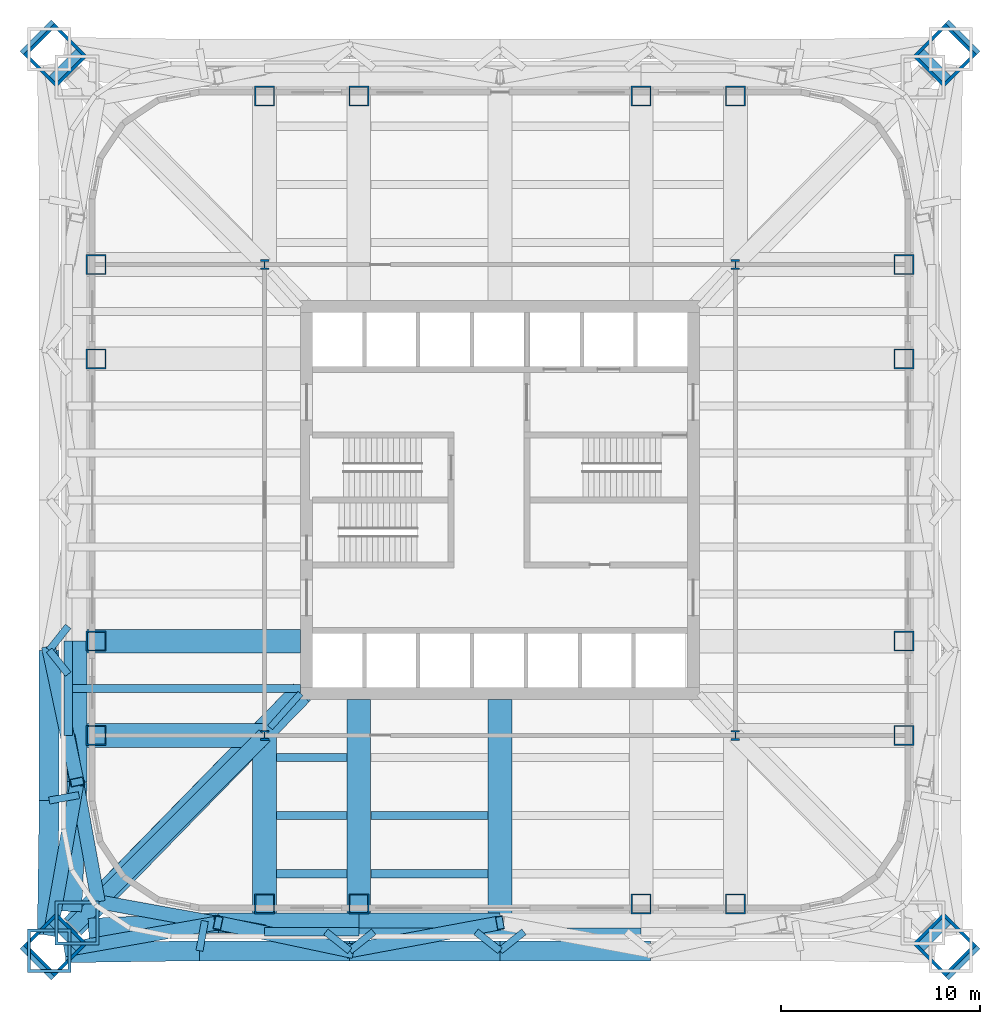
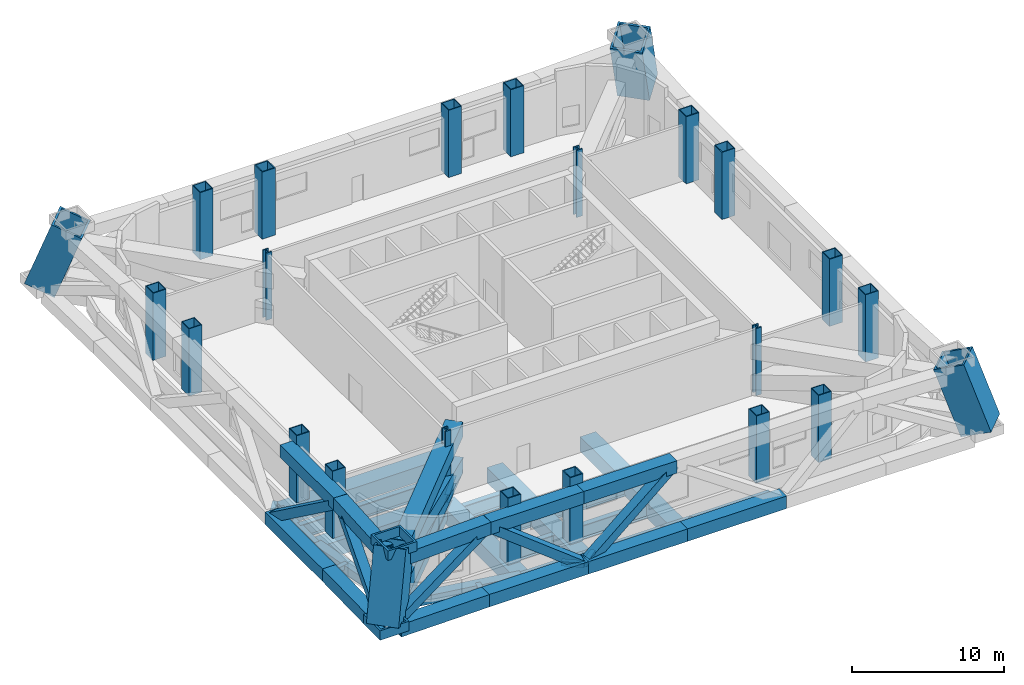
# One storey, part 1 of 9: 39 beams, 24 columns, 8 members.
"""IFC4 building model written with IfcOpenShell, lengths in metres."""

from ifc_helpers import new_model, si_unit, direction, frame, origin, origin_2d, place, context, subcontext, project, spatial, hollow_rectangle, i_section, extrude, clip, halfspace, material, material_profile, profile_set, type_object, element, save


model = new_model("IFC4")

# Units and contexts
model_context = context("Model", 3, precision=1e-05, world=origin(), true_north=direction((0.0, 1.0)))
body_context = subcontext(model_context, "Body", "Model", "MODEL_VIEW")
ifc_project = project(units=[si_unit("LENGTHUNIT", "METRE"), si_unit("AREAUNIT", "SQUARE_METRE"), si_unit("VOLUMEUNIT", "CUBIC_METRE"), si_unit("PLANEANGLEUNIT", "RADIAN"), si_unit("MASSUNIT", "GRAM", prefix="KILO")], contexts=[model_context])

# Site, building, storey
site_placement = place(None, origin())
site = spatial("IfcSite", under=ifc_project, at=site_placement, CompositionType="ELEMENT")
building_placement = place(site_placement, origin())
building = spatial("IfcBuilding", under=site, at=building_placement, Name="Turquesa Mirador Hotel Tower", CompositionType="ELEMENT")
storey_placement = place(building_placement, frame((0.0, 0.0, 88.0)))
storey = spatial("IfcBuildingStorey", under=building, at=storey_placement, Name="L23", CompositionType="ELEMENT", Elevation=88.0)

# Columns
ifc_material_1 = material(Name="Steel ASTM A572 Grade 50", Category="steel")
ifc_material_profile_1 = material_profile(ifc_material_1, hollow_rectangle(XDim=1.0, YDim=1.0, WallThickness=0.06005859375, at=origin_2d()), Name="BOX1000X1000X60")
ifc_profile_set_1 = profile_set([ifc_material_profile_1], Name="Steel ASTM A572 Grade 50")
column_type_1 = type_object("IfcColumnType", Name="COLUMN BOX1000X1000X60", PredefinedType="COLUMN", material=ifc_profile_set_1)
for number, where, z_axis, x_axis, name in (
    (1, (34.75, 33.199951171875, 0.0), (0.0, 0.0, 1.0), (1.0, 0.0, 0.0), "COL-L23-P--20.25--11.80"),
    (2, (34.75, 37.919921875, 0.0), (0.0, 0.0, 1.0), (1.0, 0.0, 0.0), "COL-L23-P--20.25--7.08"),
    (3, (34.75, 52.080078125, 0.0), (0.0, 0.0, 1.0), (1.0, 0.0, 0.0), "COL-L23-P--20.25-+7.08"),
    (4, (34.75, 56.800048828125, 0.0), (0.0, 0.0, 1.0), (1.0, 0.0, 0.0), "COL-L23-P--20.25-+11.80"),
    (5, (43.199951171875, 24.75, 0.0), (0.0, 0.0, 1.0), (1.0, 0.0, 0.0), "COL-L23-P--11.80--20.25"),
    (6, (43.199951171875, 65.25, 0.0), (0.0, 0.0, 1.0), (1.0, 0.0, 0.0), "COL-L23-P--11.80-+20.25"),
    (7, (47.919921875, 24.75, 0.0), (0.0, 0.0, 1.0), (1.0, 0.0, 0.0), "COL-L23-P--7.08--20.25"),
    (8, (47.919921875, 65.25, 0.0), (0.0, 0.0, 1.0), (1.0, 0.0, 0.0), "COL-L23-P--7.08-+20.25"),
    (9, (62.080078125, 24.75, 0.0), (0.0, 0.0, 1.0), (1.0, 0.0, 0.0), "COL-L23-P-+7.08--20.25"),
    (10, (62.080078125, 65.25, 0.0), (0.0, 0.0, 1.0), (1.0, 0.0, 0.0), "COL-L23-P-+7.08-+20.25"),
    (11, (66.800048828125, 24.75, 0.0), (0.0, 0.0, 1.0), (1.0, 0.0, 0.0), "COL-L23-P-+11.80--20.25"),
    (12, (66.800048828125, 65.25, 0.0), (0.0, 0.0, 1.0), (1.0, 0.0, 0.0), "COL-L23-P-+11.80-+20.25"),
    (13, (75.25, 33.199951171875, 0.0), (0.0, 0.0, 1.0), (1.0, 0.0, 0.0), "COL-L23-P-+20.25--11.80"),
    (14, (75.25, 37.919921875, 0.0), (0.0, 0.0, 1.0), (1.0, 0.0, 0.0), "COL-L23-P-+20.25--7.08"),
    (15, (75.25, 52.080078125, 0.0), (0.0, 0.0, 1.0), (1.0, 0.0, 0.0), "COL-L23-P-+20.25-+7.08"),
    (16, (75.25, 56.800048828125, 0.0), (0.0, 0.0, 1.0), (1.0, 0.0, 0.0), "COL-L23-P-+20.25-+11.80"),
):
    element("IfcColumn", number, at=place(storey_placement, frame(where, z_axis=z_axis, x_axis=x_axis)), inside=storey, type_object=column_type_1, Name=name, PredefinedType="COLUMN", context=body_context, shape_type="SweptSolid", body=[
        extrude(hollow_rectangle(XDim=1.0, YDim=1.0, WallThickness=0.06005859375, at=origin_2d()), origin(), (0.0, 0.0, 1.0), 5.39990234375),
    ])
ifc_material_2 = material(Name="Steel ASTM A992 Grade 50", Category="steel")
ifc_material_profile_2 = material_profile(ifc_material_2, i_section(OverallWidth=0.431884765625, OverallDepth=0.497802734375, WebThickness=0.0556640625, FlangeThickness=0.0888671875, at=origin_2d()), Name="W14X500")
ifc_profile_set_2 = profile_set([ifc_material_profile_2], Name="Steel ASTM A992 Grade 50")
column_type_2 = type_object("IfcColumnType", Name="COLUMN W14X500", PredefinedType="COLUMN", material=ifc_profile_set_2)
for number, where, z_axis, x_axis, name in (
    (17, (43.199951171875, 33.199951171875, 0.0), (0.0, 0.0, 1.0), (1.0, 0.0, 0.0), "COL-L23-K--11.80--11.80"),
    (18, (43.199951171875, 56.800048828125, 0.0), (0.0, 0.0, 1.0), (1.0, 0.0, 0.0), "COL-L23-K--11.80-+11.80"),
    (19, (66.800048828125, 33.199951171875, 0.0), (0.0, 0.0, 1.0), (1.0, 0.0, 0.0), "COL-L23-K-+11.80--11.80"),
    (20, (66.800048828125, 56.800048828125, 0.0), (0.0, 0.0, 1.0), (1.0, 0.0, 0.0), "COL-L23-K-+11.80-+11.80"),
):
    element("IfcColumn", number, at=place(storey_placement, frame(where, z_axis=z_axis, x_axis=x_axis)), inside=storey, type_object=column_type_2, Name=name, PredefinedType="COLUMN", context=body_context, shape_type="SweptSolid", body=[
        extrude(i_section(OverallWidth=0.431884765625, OverallDepth=0.497802734375, WebThickness=0.0556640625, FlangeThickness=0.0888671875, at=origin_2d()), origin(), (0.0, 0.0, 1.0), 5.39990234375),
    ])
ifc_material_3 = material(Name="Steel ASTM A514 Grade Q", Category="steel")
ifc_material_profile_3 = material_profile(ifc_material_3, hollow_rectangle(XDim=2.199951171875, YDim=2.199951171875, WallThickness=0.14990234375, at=origin_2d()), Name="BOX2200X2200X150")
ifc_profile_set_3 = profile_set([ifc_material_profile_3], Name="Steel ASTM A514 Grade Q")
column_type_3 = type_object("IfcColumnType", Name="MEGA COLUMN BOX2200X2200X150", PredefinedType="COLUMN", material=ifc_profile_set_3)
for number, where, z_axis, x_axis, name in (
    (21, (77.60009765625, 67.60009765625, 0.0), (-0.243440180858, -0.243440180858, 0.938868338313), (0.707106781187, -0.707106781187, 0.0), "Mega column M1"),
    (22, (32.39990234375, 67.60009765625, 0.0), (0.243440180858, -0.243440180858, 0.938868338313), (0.707106781187, 0.707106781187, 0.0), "Mega column M2"),
    (23, (32.39990234375, 22.39990234375, 0.0), (0.243440180858, 0.243440180858, 0.938868338313), (-0.707106781187, 0.707106781187, 0.0), "Mega column M3"),
    (24, (77.60009765625, 22.39990234375, 0.0), (-0.243440180858, 0.243440180858, 0.938868338313), (-0.707106781187, -0.707106781187, 0.0), "Mega column M4"),
):
    element("IfcColumn", number, at=place(storey_placement, frame(where, z_axis=z_axis, x_axis=x_axis)), inside=storey, type_object=column_type_3, Name=name, PredefinedType="COLUMN", context=body_context, shape_type="Clipping", body=[
        clip(clip(extrude(hollow_rectangle(XDim=2.199951171875, YDim=2.199951171875, WallThickness=0.14990234375, at=origin_2d()), origin(), (0.0, 0.0, 1.0), 5.75146484375), halfspace(frame((0.0, 0.0, 0.17724609375), z_axis=(0.0, 0.0, -1.0), x_axis=(1.0, 0.0, 0.0)), False)), halfspace(frame((0.0, 0.0, 5.57470703125), z_axis=(0.0, 0.0, 1.0), x_axis=(1.0, 0.0, 0.0)), False)),
    ])

# Beams
ifc_material_4 = material(Name="Steel ASTM A572 Grade 50", Category="steel")
ifc_material_profile_4 = material_profile(ifc_material_4, hollow_rectangle(XDim=1.199951171875, YDim=1.199951171875, WallThickness=0.06005859375, at=origin_2d()), Name="BOX1200X1200X60")
ifc_profile_set_4 = profile_set([ifc_material_profile_4], Name="Steel ASTM A572 Grade 50")
beam_type_1 = type_object("IfcBeamType", Name="BEAM BOX1200X1200X60", PredefinedType="BEAM", material=ifc_profile_set_4)
for number, where, z_axis, x_axis, name in (
    (25, (47.919921875, 23.35009765625, -0.85009765625), (0.0, 1.0, 0.0), (-1.0, 0.0, 0.0), "GD-L23-S--7.08"),
    (26, (55.0, 23.35009765625, -0.85009765625), (0.0, 1.0, 0.0), (-1.0, 0.0, 0.0), "GD-L23-S-+0.00"),
):
    element("IfcBeam", number, at=place(storey_placement, frame(where, z_axis=z_axis, x_axis=x_axis)), inside=storey, type_object=beam_type_1, Name=name, PredefinedType="BEAM", context=body_context, shape_type="SweptSolid", body=[
        extrude(hollow_rectangle(XDim=1.199951171875, YDim=1.199951171875, WallThickness=0.06005859375, at=origin_2d()), origin(), (0.0, 0.0, 1.0), 11.64990234375),
    ])
beam_1_placement = place(storey_placement, frame((43.199951171875, 23.35009765625, -0.85009765625), z_axis=(0.0, 1.0, 0.0), x_axis=(-1.0, 0.0, 0.0)))
element("IfcBeam", 27, at=beam_1_placement, inside=storey, type_object=beam_type_1, Name="GK-L23-S--11.80", PredefinedType="BEAM", context=body_context, shape_type="SweptSolid", body=[
    extrude(hollow_rectangle(XDim=1.199951171875, YDim=1.199951171875, WallThickness=0.06005859375, at=origin_2d()), origin(), (0.0, 0.0, 1.0), 9.849853515625),
])
beam_2_placement = place(storey_placement, frame((33.35009765625, 37.919921875, -0.85009765625), z_axis=(1.0, 0.0, 0.0), x_axis=(0.0, 1.0, 0.0)))
element("IfcBeam", 28, at=beam_2_placement, inside=storey, type_object=beam_type_1, Name="GD-L23-W--7.08", PredefinedType="BEAM", context=body_context, shape_type="SweptSolid", body=[
    extrude(hollow_rectangle(XDim=1.199951171875, YDim=1.199951171875, WallThickness=0.06005859375, at=origin_2d()), origin(), (0.0, 0.0, 1.0), 11.64990234375),
])
beam_3_placement = place(storey_placement, frame((33.35009765625, 33.199951171875, -0.85009765625), z_axis=(1.0, 0.0, 0.0), x_axis=(0.0, 1.0, 0.0)))
element("IfcBeam", 29, at=beam_3_placement, inside=storey, type_object=beam_type_1, Name="GK-L23-W--11.80", PredefinedType="BEAM", context=body_context, shape_type="SweptSolid", body=[
    extrude(hollow_rectangle(XDim=1.199951171875, YDim=1.199951171875, WallThickness=0.06005859375, at=origin_2d()), origin(), (0.0, 0.0, 1.0), 9.849853515625),
])
ifc_material_5 = material(Name="Steel ASTM A572 Grade 50", Category="steel")
ifc_material_profile_5 = material_profile(ifc_material_5, hollow_rectangle(XDim=0.699951171875, YDim=0.699951171875, WallThickness=0.044921875, at=origin_2d()), Name="BOX700X700X45")
ifc_profile_set_5 = profile_set([ifc_material_profile_5], Name="Steel ASTM A572 Grade 50")
beam_type_2 = type_object("IfcBeamType", Name="BEAM BOX700X700X45", PredefinedType="BEAM", material=ifc_profile_set_5)
for number, where, z_axis, x_axis, name in (
    (30, (33.35009765625, 33.199951171875, -0.60009765625), (0.177932387818, -0.984042715214, 0.0), (0.984042715214, 0.177932387818, 0.0), "KE-L23-3-0"),
    (31, (34.8583984375, 24.8583984375, -0.60009765625), (0.984042715214, -0.177932387818, 0.0), (0.177932387818, 0.984042715214, 0.0), "KE-L23-3-1"),
):
    element("IfcBeam", number, at=place(storey_placement, frame(where, z_axis=z_axis, x_axis=x_axis)), inside=storey, type_object=beam_type_2, Name=name, PredefinedType="BEAM", context=body_context, shape_type="SweptSolid", body=[
        extrude(hollow_rectangle(XDim=0.699951171875, YDim=0.699951171875, WallThickness=0.044921875, at=origin_2d()), origin(), (0.0, 0.0, 1.0), 8.476806640625),
    ])
ifc_material_6 = material(Name="Steel ASTM A572 Grade 50", Category="steel")
ifc_material_profile_6 = material_profile(ifc_material_6, hollow_rectangle(XDim=0.800048828125, YDim=0.800048828125, WallThickness=0.050048828125, at=origin_2d()), Name="BOX800X800X50")
ifc_profile_set_6 = profile_set([ifc_material_profile_6], Name="Steel ASTM A572 Grade 50")
beam_type_3 = type_object("IfcBeamType", Name="BEAM BOX800X800X50", PredefinedType="BEAM", material=ifc_profile_set_6)
beam_4_placement = place(storey_placement, frame((43.199951171875, 33.199951171875, -0.64990234375), z_axis=(-0.707106781187, -0.707106781187, 0.0), x_axis=(0.707106781187, -0.707106781187, 0.0)))
element("IfcBeam", 32, at=beam_4_placement, inside=storey, type_object=beam_type_3, Name="KD-L23-3", PredefinedType="BEAM", context=body_context, shape_type="SweptSolid", body=[
    extrude(hollow_rectangle(XDim=0.800048828125, YDim=0.800048828125, WallThickness=0.050048828125, at=origin_2d()), origin(), (0.0, 0.0, 1.0), 13.78857421875),
])
ifc_material_7 = material(Name="Steel ASTM A992 Grade 50", Category="steel")
ifc_material_profile_7 = material_profile(ifc_material_7, i_section(OverallWidth=0.3251953125, OverallDepth=0.612060546875, WebThickness=0.0126953125, FlangeThickness=0.01904296875, at=origin_2d()), Name="W24X104")
ifc_profile_set_7 = profile_set([ifc_material_profile_7], Name="Steel ASTM A992 Grade 50")
beam_type_4 = type_object("IfcBeamType", Name="BEAM W24X104", PredefinedType="BEAM", material=ifc_profile_set_7)
beam_5_placement = place(storey_placement, frame((43.470458984375, 33.59033203125, -0.55615234375), z_axis=(0.666745084392, 0.745285846129, 0.0), x_axis=(-0.745285846129, 0.666745084392, 0.0)))
element("IfcBeam", 33, at=beam_5_placement, inside=storey, type_object=beam_type_4, Name="KT-L23-3", PredefinedType="BEAM", context=body_context, shape_type="SweptSolid", body=[
    extrude(i_section(OverallWidth=0.3251953125, OverallDepth=0.612060546875, WebThickness=0.0126953125, FlangeThickness=0.01904296875, at=origin_2d()), origin(), (0.0, 0.0, 1.0), 2.2939453125),
])
ifc_material_8 = material(Name="Steel ASTM A992 Grade 50", Category="steel")
ifc_material_profile_8 = material_profile(ifc_material_8, i_section(OverallWidth=0.419189453125, OverallDepth=0.927001953125, WebThickness=0.019287109375, FlangeThickness=0.031982421875, at=origin_2d()), Name="W36X231")
ifc_profile_set_8 = profile_set([ifc_material_profile_8], Name="Steel ASTM A992 Grade 50")
beam_type_5 = type_object("IfcBeamType", Name="BEAM W36X231", PredefinedType="BEAM", material=ifc_profile_set_8)
for number, where, z_axis, x_axis, name in (
    (34, (43.199951171875, 23.35009765625, -0.713623046875), (1.0, 0.0, 0.0), (0.0, 1.0, 0.0), "EB-L23-S-L"),
    (35, (33.35009765625, 33.199951171875, -0.713623046875), (0.0, 1.0, 0.0), (-1.0, 0.0, 0.0), "EB-L23-W-L"),
):
    element("IfcBeam", number, at=place(storey_placement, frame(where, z_axis=z_axis, x_axis=x_axis)), inside=storey, type_object=beam_type_5, Name=name, PredefinedType="BEAM", context=body_context, shape_type="SweptSolid", body=[
        extrude(i_section(OverallWidth=0.419189453125, OverallDepth=0.927001953125, WebThickness=0.019287109375, FlangeThickness=0.031982421875, at=origin_2d()), origin(), (0.0, 0.0, 1.0), 4.719970703125),
    ])
ifc_material_9 = material(Name="Steel ASTM A992 Grade 50", Category="steel")
ifc_material_profile_9 = material_profile(ifc_material_9, i_section(OverallWidth=0.40380859375, OverallDepth=1.11767578125, WebThickness=0.026123046875, FlangeThickness=0.044921875, at=origin_2d()), Name="W44X335")
ifc_profile_set_9 = profile_set([ifc_material_profile_9], Name="Steel ASTM A992 Grade 50")
beam_type_6 = type_object("IfcBeamType", Name="BEAM W44X335", PredefinedType="BEAM", material=ifc_profile_set_9)
for number, where, z_axis, x_axis, name in (
    (36, (43.800048828125, 32.087890625, -0.808837890625), (1.0, 0.0, 0.0), (0.0, 1.0, 0.0), "IB-L23-S-1-0"),
    (37, (43.800048828125, 29.175048828125, -0.808837890625), (1.0, 0.0, 0.0), (0.0, 1.0, 0.0), "IB-L23-S-2-0"),
):
    element("IfcBeam", number, at=place(storey_placement, frame(where, z_axis=z_axis, x_axis=x_axis)), inside=storey, type_object=beam_type_6, Name=name, PredefinedType="BEAM", context=body_context, shape_type="SweptSolid", body=[
        extrude(i_section(OverallWidth=0.40380859375, OverallDepth=1.11767578125, WebThickness=0.026123046875, FlangeThickness=0.044921875, at=origin_2d()), origin(), (0.0, 0.0, 1.0), 3.52001953125),
    ])
beam_6_placement = place(storey_placement, frame((48.52001953125, 29.175048828125, -0.808837890625), z_axis=(1.0, 0.0, 0.0), x_axis=(0.0, 1.0, 0.0)))
element("IfcBeam", 38, at=beam_6_placement, inside=storey, type_object=beam_type_6, Name="IB-L23-S-2-1", PredefinedType="BEAM", context=body_context, shape_type="SweptSolid", body=[
    extrude(i_section(OverallWidth=0.40380859375, OverallDepth=1.11767578125, WebThickness=0.026123046875, FlangeThickness=0.044921875, at=origin_2d()), origin(), (0.0, 0.0, 1.0), 5.8798828125),
])
beam_7_placement = place(storey_placement, frame((43.800048828125, 26.262939453125, -0.808837890625), z_axis=(1.0, 0.0, 0.0), x_axis=(0.0, 1.0, 0.0)))
element("IfcBeam", 39, at=beam_7_placement, inside=storey, type_object=beam_type_6, Name="IB-L23-S-3-0", PredefinedType="BEAM", context=body_context, shape_type="SweptSolid", body=[
    extrude(i_section(OverallWidth=0.40380859375, OverallDepth=1.11767578125, WebThickness=0.026123046875, FlangeThickness=0.044921875, at=origin_2d()), origin(), (0.0, 0.0, 1.0), 3.52001953125),
])
beam_8_placement = place(storey_placement, frame((48.52001953125, 26.262939453125, -0.808837890625), z_axis=(1.0, 0.0, 0.0), x_axis=(0.0, 1.0, 0.0)))
element("IfcBeam", 40, at=beam_8_placement, inside=storey, type_object=beam_type_6, Name="IB-L23-S-3-1", PredefinedType="BEAM", context=body_context, shape_type="SweptSolid", body=[
    extrude(i_section(OverallWidth=0.40380859375, OverallDepth=1.11767578125, WebThickness=0.026123046875, FlangeThickness=0.044921875, at=origin_2d()), origin(), (0.0, 0.0, 1.0), 5.8798828125),
])
beam_9_placement = place(storey_placement, frame((47.919921875, 23.35009765625, -0.808837890625), z_axis=(1.0, 0.0, 0.0), x_axis=(0.0, 1.0, 0.0)))
element("IfcBeam", 41, at=beam_9_placement, inside=storey, type_object=beam_type_6, Name="EB-L23-S-C", PredefinedType="BEAM", context=body_context, shape_type="SweptSolid", body=[
    extrude(i_section(OverallWidth=0.40380859375, OverallDepth=1.11767578125, WebThickness=0.026123046875, FlangeThickness=0.044921875, at=origin_2d()), origin(), (0.0, 0.0, 1.0), 14.16015625),
])
beam_10_placement = place(storey_placement, frame((33.35009765625, 35.56005859375, -0.808837890625), z_axis=(1.0, 0.0, 0.0), x_axis=(0.0, 1.0, 0.0)))
element("IfcBeam", 42, at=beam_10_placement, inside=storey, type_object=beam_type_6, Name="BM-L23-W--9.44", PredefinedType="BEAM", context=body_context, shape_type="SweptSolid", body=[
    extrude(i_section(OverallWidth=0.40380859375, OverallDepth=1.11767578125, WebThickness=0.026123046875, FlangeThickness=0.044921875, at=origin_2d()), origin(), (0.0, 0.0, 1.0), 11.64990234375),
])
ifc_material_10 = material(Name="Steel ASTM A572 Grade 50", Category="steel")
ifc_material_profile_10 = material_profile(ifc_material_10, hollow_rectangle(XDim=1.0, YDim=1.0, WallThickness=0.06005859375, at=origin_2d()), Name="BOX1000X1000X60")
ifc_profile_set_10 = profile_set([ifc_material_profile_10], Name="Steel ASTM A572 Grade 50")
beam_type_7 = type_object("IfcBeamType", Name="BELT TRUSS CHORD BOX1000X1000X60", PredefinedType="BEAM", material=ifc_profile_set_10)
beam_11_placement = place(storey_placement, frame((33.206298828125, 22.302490234375, -0.427734375), z_axis=(0.999895171784, 0.014479138185, 0.0), x_axis=(-0.014479138185, 0.999895171784, 0.0)))
element("IfcBeam", 43, at=beam_11_placement, inside=storey, type_object=beam_type_7, Name="Belt truss bottom chord S", PredefinedType="BEAM", context=body_context, shape_type="SweptSolid", body=[
    extrude(hollow_rectangle(XDim=1.0, YDim=1.0, WallThickness=0.06005859375, at=origin_2d()), origin(), (0.0, 0.0, 1.0), 6.727783203125),
])
beam_12_placement = place(storey_placement, frame((34.374267578125, 23.526123046875, 4.199951171875), z_axis=(0.999111122938, 0.042154051064, 0.0), x_axis=(-0.042154051064, 0.999111122938, 0.0)))
element("IfcBeam", 44, at=beam_12_placement, inside=storey, type_object=beam_type_7, Name="Belt truss top chord S", PredefinedType="BEAM", context=body_context, shape_type="SweptSolid", body=[
    extrude(hollow_rectangle(XDim=1.0, YDim=1.0, WallThickness=0.06005859375, at=origin_2d()), origin(), (0.0, 0.0, 1.0), 6.498291015625),
])
beam_13_placement = place(storey_placement, frame((39.933349609375, 22.39990234375, -0.427734375), z_axis=(1.0, 0.0, 0.0), x_axis=(0.0, 1.0, 0.0)))
element("IfcBeam", 45, at=beam_13_placement, inside=storey, type_object=beam_type_7, Name="Belt truss bottom chord S", PredefinedType="BEAM", context=body_context, shape_type="SweptSolid", body=[
    extrude(hollow_rectangle(XDim=1.0, YDim=1.0, WallThickness=0.06005859375, at=origin_2d()), origin(), (0.0, 0.0, 1.0), 7.533203125),
])
beam_14_placement = place(storey_placement, frame((40.86669921875, 23.800048828125, 4.199951171875), z_axis=(1.0, 0.0, 0.0), x_axis=(0.0, 1.0, 0.0)))
element("IfcBeam", 46, at=beam_14_placement, inside=storey, type_object=beam_type_7, Name="Belt truss top chord S", PredefinedType="BEAM", context=body_context, shape_type="SweptSolid", body=[
    extrude(hollow_rectangle(XDim=1.0, YDim=1.0, WallThickness=0.06005859375, at=origin_2d()), origin(), (0.0, 0.0, 1.0), 7.066650390625),
])
beam_15_placement = place(storey_placement, frame((47.466552734375, 22.39990234375, -0.427734375), z_axis=(1.0, 0.0, 0.0), x_axis=(0.0, 1.0, 0.0)))
element("IfcBeam", 47, at=beam_15_placement, inside=storey, type_object=beam_type_7, Name="Belt truss bottom chord S", PredefinedType="BEAM", context=body_context, shape_type="SweptSolid", body=[
    extrude(hollow_rectangle(XDim=1.0, YDim=1.0, WallThickness=0.06005859375, at=origin_2d()), origin(), (0.0, 0.0, 1.0), 7.533447265625),
])
beam_16_placement = place(storey_placement, frame((47.933349609375, 23.800048828125, 4.199951171875), z_axis=(1.0, 0.0, 0.0), x_axis=(0.0, 1.0, 0.0)))
element("IfcBeam", 48, at=beam_16_placement, inside=storey, type_object=beam_type_7, Name="Belt truss top chord S", PredefinedType="BEAM", context=body_context, shape_type="SweptSolid", body=[
    extrude(hollow_rectangle(XDim=1.0, YDim=1.0, WallThickness=0.06005859375, at=origin_2d()), origin(), (0.0, 0.0, 1.0), 7.066650390625),
])
beam_17_placement = place(storey_placement, frame((55.0, 22.39990234375, -0.427734375), z_axis=(1.0, 0.0, 0.0), x_axis=(0.0, 1.0, 0.0)))
element("IfcBeam", 49, at=beam_17_placement, inside=storey, type_object=beam_type_7, Name="Belt truss bottom chord S", PredefinedType="BEAM", context=body_context, shape_type="SweptSolid", body=[
    extrude(hollow_rectangle(XDim=1.0, YDim=1.0, WallThickness=0.06005859375, at=origin_2d()), origin(), (0.0, 0.0, 1.0), 7.533447265625),
])
beam_18_placement = place(storey_placement, frame((32.302490234375, 23.206298828125, -0.427734375), z_axis=(0.014479138185, 0.999895171784, 0.0), x_axis=(-0.999895171784, 0.014479138185, 0.0)))
element("IfcBeam", 50, at=beam_18_placement, inside=storey, type_object=beam_type_7, Name="Belt truss bottom chord W", PredefinedType="BEAM", context=body_context, shape_type="SweptSolid", body=[
    extrude(hollow_rectangle(XDim=1.0, YDim=1.0, WallThickness=0.06005859375, at=origin_2d()), origin(), (0.0, 0.0, 1.0), 6.727783203125),
])
beam_19_placement = place(storey_placement, frame((33.526123046875, 24.374267578125, 4.199951171875), z_axis=(0.042154051064, 0.999111122938, 0.0), x_axis=(-0.999111122938, 0.042154051064, 0.0)))
element("IfcBeam", 51, at=beam_19_placement, inside=storey, type_object=beam_type_7, Name="Belt truss top chord W", PredefinedType="BEAM", context=body_context, shape_type="SweptSolid", body=[
    extrude(hollow_rectangle(XDim=1.0, YDim=1.0, WallThickness=0.06005859375, at=origin_2d()), origin(), (0.0, 0.0, 1.0), 6.498291015625),
])
beam_20_placement = place(storey_placement, frame((32.39990234375, 29.933349609375, -0.427734375), z_axis=(0.0, 1.0, 0.0), x_axis=(-1.0, 0.0, 0.0)))
element("IfcBeam", 52, at=beam_20_placement, inside=storey, type_object=beam_type_7, Name="Belt truss bottom chord W", PredefinedType="BEAM", context=body_context, shape_type="SweptSolid", body=[
    extrude(hollow_rectangle(XDim=1.0, YDim=1.0, WallThickness=0.06005859375, at=origin_2d()), origin(), (0.0, 0.0, 1.0), 7.533203125),
])
beam_21_placement = place(storey_placement, frame((33.800048828125, 30.86669921875, 4.199951171875), z_axis=(0.0, 1.0, 0.0), x_axis=(-1.0, 0.0, 0.0)))
element("IfcBeam", 53, at=beam_21_placement, inside=storey, type_object=beam_type_7, Name="Belt truss top chord W", PredefinedType="BEAM", context=body_context, shape_type="SweptSolid", body=[
    extrude(hollow_rectangle(XDim=1.0, YDim=1.0, WallThickness=0.06005859375, at=origin_2d()), origin(), (0.0, 0.0, 1.0), 7.066650390625),
])

# Members
ifc_material_11 = material(Name="Steel ASTM A572 Grade 50", Category="steel")
ifc_material_profile_11 = material_profile(ifc_material_11, hollow_rectangle(XDim=0.699951171875, YDim=0.699951171875, WallThickness=0.044921875, at=origin_2d()), Name="BOX700X700X45")
ifc_profile_set_11 = profile_set([ifc_material_profile_11], Name="Steel ASTM A572 Grade 50")
member_type_1 = type_object("IfcMemberType", Name="BELT TRUSS DIAGONAL BOX700X700X45", PredefinedType="BRACE", material=ifc_profile_set_11)
member_1_placement = place(storey_placement, frame((33.318359375, 22.470458984375, 0.12744140625), z_axis=(0.869692632776, 0.153190571127, 0.469219962719), x_axis=(-0.17347277854, 0.984838664506, 0.0)))
element("IfcMember", 54, at=member_1_placement, inside=storey, type_object=member_type_1, Name="Belt truss diagonal S", PredefinedType="BRACE", context=body_context, shape_type="SweptSolid", body=[
    extrude(hollow_rectangle(XDim=0.699951171875, YDim=0.699951171875, WallThickness=0.044921875, at=origin_2d()), origin(), (0.0, 0.0, 1.0), 8.67919921875),
])
member_2_placement = place(storey_placement, frame((40.86669921875, 23.800048828125, 4.199951171875), z_axis=(0.806698164077, -0.171139495098, -0.565640650319), x_axis=(0.207529392542, 0.978228782664, 0.0)))
element("IfcMember", 55, at=member_2_placement, inside=storey, type_object=member_type_1, Name="Belt truss diagonal S", PredefinedType="BRACE", context=body_context, shape_type="SweptSolid", body=[
    extrude(hollow_rectangle(XDim=0.699951171875, YDim=0.699951171875, WallThickness=0.044921875, at=origin_2d()), origin(), (0.0, 0.0, 1.0), 8.181396484375),
])
member_3_placement = place(storey_placement, frame((47.466552734375, 22.39990234375, -0.427734375), z_axis=(0.841588269094, 0.156415358695, 0.516975261389), x_axis=(-0.182728150566, 0.983163477246, 0.0)))
element("IfcMember", 56, at=member_3_placement, inside=storey, type_object=member_type_1, Name="Belt truss diagonal S", PredefinedType="BRACE", context=body_context, shape_type="SweptSolid", body=[
    extrude(hollow_rectangle(XDim=0.699951171875, YDim=0.699951171875, WallThickness=0.044921875, at=origin_2d()), origin(), (0.0, 0.0, 1.0), 8.951416015625),
])
member_4_placement = place(storey_placement, frame((32.470458984375, 23.318359375, 0.12744140625), z_axis=(0.153190571127, 0.869692632776, 0.469219962719), x_axis=(-0.984838664506, 0.17347277854, 0.0)))
element("IfcMember", 57, at=member_4_placement, inside=storey, type_object=member_type_1, Name="Belt truss diagonal W", PredefinedType="BRACE", context=body_context, shape_type="SweptSolid", body=[
    extrude(hollow_rectangle(XDim=0.699951171875, YDim=0.699951171875, WallThickness=0.044921875, at=origin_2d()), origin(), (0.0, 0.0, 1.0), 8.67919921875),
])
member_5_placement = place(storey_placement, frame((33.800048828125, 30.86669921875, 4.199951171875), z_axis=(-0.171139495098, 0.806698164077, -0.565640650319), x_axis=(-0.978228782664, -0.207529392542, 0.0)))
element("IfcMember", 58, at=member_5_placement, inside=storey, type_object=member_type_1, Name="Belt truss diagonal W", PredefinedType="BRACE", context=body_context, shape_type="SweptSolid", body=[
    extrude(hollow_rectangle(XDim=0.699951171875, YDim=0.699951171875, WallThickness=0.044921875, at=origin_2d()), origin(), (0.0, 0.0, 1.0), 8.181396484375),
])

# Beams
ifc_material_12 = material(Name="Steel ASTM A500 Grade C", Category="steel")
ifc_material_profile_12 = material_profile(ifc_material_12, hollow_rectangle(XDim=0.355712890625, YDim=0.355712890625, WallThickness=0.0146484375, at=origin_2d()), Name="HSS14X14X5/8")
ifc_profile_set_12 = profile_set([ifc_material_profile_12], Name="Steel ASTM A500 Grade C")
beam_type_8 = type_object("IfcBeamType", Name="BRACE STRUT HSS14X14X5/8", PredefinedType="BEAM", material=ifc_profile_set_12)
beam_22_placement = place(storey_placement, frame((39.933349609375, 22.39990234375, -0.427734375), z_axis=(0.177935933856, 0.984042074021, 0.0), x_axis=(-0.984042074021, 0.177935933856, 0.0)))
element("IfcBeam", 59, at=beam_22_placement, inside=storey, type_object=beam_type_8, Name="Brace strut", PredefinedType="BEAM", context=body_context, shape_type="SweptSolid", body=[
    extrude(hollow_rectangle(XDim=0.355712890625, YDim=0.355712890625, WallThickness=0.0146484375, at=origin_2d()), origin(), (0.0, 0.0, 1.0), 1.51611328125),
])
beam_23_placement = place(storey_placement, frame((47.466552734375, 22.39990234375, -0.427734375), z_axis=(-0.783971428146, 0.620796907089, 0.0), x_axis=(-0.620796907089, -0.783971428146, 0.0)))
element("IfcBeam", 60, at=beam_23_placement, inside=storey, type_object=beam_type_8, Name="Brace strut", PredefinedType="BEAM", context=body_context, shape_type="SweptSolid", body=[
    extrude(hollow_rectangle(XDim=0.355712890625, YDim=0.355712890625, WallThickness=0.0146484375, at=origin_2d()), origin(), (0.0, 0.0, 1.0), 1.530517578125),
])
beam_24_placement = place(storey_placement, frame((47.466552734375, 22.39990234375, -0.427734375), z_axis=(0.784032888399, 0.620719284306, 0.0), x_axis=(-0.620719284306, 0.784032888399, 0.0)))
element("IfcBeam", 61, at=beam_24_placement, inside=storey, type_object=beam_type_8, Name="Brace strut", PredefinedType="BEAM", context=body_context, shape_type="SweptSolid", body=[
    extrude(hollow_rectangle(XDim=0.355712890625, YDim=0.355712890625, WallThickness=0.0146484375, at=origin_2d()), origin(), (0.0, 0.0, 1.0), 1.53076171875),
])
for number, where, z_axis, x_axis, name in (
    (62, (55.0, 22.39990234375, -0.427734375), (-0.783971428146, 0.620796907089, 0.0), (-0.620796907089, -0.783971428146, 0.0), "Brace strut"),
    (63, (55.0, 22.39990234375, -0.427734375), (0.783971428146, 0.620796907089, 0.0), (-0.620796907089, 0.783971428146, 0.0), "Brace strut"),
):
    element("IfcBeam", number, at=place(storey_placement, frame(where, z_axis=z_axis, x_axis=x_axis)), inside=storey, type_object=beam_type_8, Name=name, PredefinedType="BEAM", context=body_context, shape_type="SweptSolid", body=[
        extrude(hollow_rectangle(XDim=0.355712890625, YDim=0.355712890625, WallThickness=0.0146484375, at=origin_2d()), origin(), (0.0, 0.0, 1.0), 1.530517578125),
    ])
beam_25_placement = place(storey_placement, frame((32.39990234375, 29.933349609375, -0.427734375), z_axis=(0.984042074021, 0.177935933856, 0.0), x_axis=(-0.177935933856, 0.984042074021, 0.0)))
element("IfcBeam", 64, at=beam_25_placement, inside=storey, type_object=beam_type_8, Name="Brace strut", PredefinedType="BEAM", context=body_context, shape_type="SweptSolid", body=[
    extrude(hollow_rectangle(XDim=0.355712890625, YDim=0.355712890625, WallThickness=0.0146484375, at=origin_2d()), origin(), (0.0, 0.0, 1.0), 1.51611328125),
])
beam_26_placement = place(storey_placement, frame((32.39990234375, 37.466552734375, -0.427734375), z_axis=(0.620796907089, -0.783971428146, 0.0), x_axis=(0.783971428146, 0.620796907089, 0.0)))
element("IfcBeam", 65, at=beam_26_placement, inside=storey, type_object=beam_type_8, Name="Brace strut", PredefinedType="BEAM", context=body_context, shape_type="SweptSolid", body=[
    extrude(hollow_rectangle(XDim=0.355712890625, YDim=0.355712890625, WallThickness=0.0146484375, at=origin_2d()), origin(), (0.0, 0.0, 1.0), 1.530517578125),
])
beam_27_placement = place(storey_placement, frame((32.39990234375, 37.466552734375, -0.427734375), z_axis=(0.620719284306, 0.784032888399, 0.0), x_axis=(-0.784032888399, 0.620719284306, 0.0)))
element("IfcBeam", 66, at=beam_27_placement, inside=storey, type_object=beam_type_8, Name="Brace strut", PredefinedType="BEAM", context=body_context, shape_type="SweptSolid", body=[
    extrude(hollow_rectangle(XDim=0.355712890625, YDim=0.355712890625, WallThickness=0.0146484375, at=origin_2d()), origin(), (0.0, 0.0, 1.0), 1.53076171875),
])

# Members
ifc_material_13 = material(Name="Cast steel ASTM A958 Grade SC8620 Class 80/50", Category="steel")
ifc_material_profile_13 = material_profile(ifc_material_13, hollow_rectangle(XDim=2.199951171875, YDim=2.199951171875, WallThickness=0.14990234375, at=origin_2d()), Name="NODE2200X2200X150")
ifc_profile_set_13 = profile_set([ifc_material_profile_13], Name="Cast steel ASTM A958 Grade SC8620 Class 80/50")
member_type_2 = type_object("IfcMemberType", Name="MEGA COLUMN NODE NODE2200X2200X150", PredefinedType="USERDEFINED", material=ifc_profile_set_13)
for number, where, z_axis, x_axis, name in (
    (67, (32.39990234375, 22.39990234375, -0.215576171875), (0.0, 0.0, 1.0), (1.0, 0.0, 0.0), "Mega column node M3 base"),
    (68, (33.800048828125, 23.800048828125, 4.85498046875), (0.0, 0.0, 1.0), (1.0, 0.0, 0.0), "Mega column node M3 head"),
):
    element("IfcMember", number, at=place(storey_placement, frame(where, z_axis=z_axis, x_axis=x_axis)), inside=storey, type_object=member_type_2, Name=name, ObjectType="MEGA COLUMN NODE", PredefinedType="USERDEFINED", context=body_context, shape_type="SweptSolid", body=[
        extrude(hollow_rectangle(XDim=2.199951171875, YDim=2.199951171875, WallThickness=0.14990234375, at=origin_2d()), origin(), (0.0, 0.0, 1.0), 0.760498046875),
    ])

# Beams
ifc_material_14 = material(Name="Steel ASTM A572 Grade 50", Category="steel")
ifc_material_profile_14 = material_profile(ifc_material_14, hollow_rectangle(XDim=1.199951171875, YDim=1.199951171875, WallThickness=0.080078125, at=origin_2d()), Name="BOX1200X1200X80")
ifc_profile_set_14 = profile_set([ifc_material_profile_14], Name="Steel ASTM A572 Grade 50")
beam_type_9 = type_object("IfcBeamType", Name="OUTRIGGER CHORD BOX1200X1200X80", PredefinedType="BEAM", material=ifc_profile_set_14)
beam_28_placement = place(storey_placement, frame((45.0, 35.300048828125, 0.64990234375), z_axis=(-0.698622767972, -0.71549020124, 0.0), x_axis=(0.71549020124, -0.698622767972, 0.0)))
element("IfcBeam", 69, at=beam_28_placement, inside=storey, type_object=beam_type_9, Name="Outrigger bottom chord 3", PredefinedType="BEAM", context=body_context, shape_type="SweptSolid", body=[
    extrude(hollow_rectangle(XDim=1.199951171875, YDim=1.199951171875, WallThickness=0.080078125, at=origin_2d()), origin(), (0.0, 0.0, 1.0), 16.32666015625),
])
beam_29_placement = place(storey_placement, frame((45.0, 35.300048828125, 3.550048828125), z_axis=(-0.69808537712, -0.716014529358, 0.0), x_axis=(0.716014529358, -0.69808537712, 0.0)))
element("IfcBeam", 70, at=beam_29_placement, inside=storey, type_object=beam_type_9, Name="Outrigger top chord 3", PredefinedType="BEAM", context=body_context, shape_type="SweptSolid", body=[
    extrude(hollow_rectangle(XDim=1.199951171875, YDim=1.199951171875, WallThickness=0.080078125, at=origin_2d()), origin(), (0.0, 0.0, 1.0), 15.2646484375),
])

# Member
ifc_material_15 = material(Name="Steel ASTM A572 Grade 50", Category="steel")
ifc_material_profile_15 = material_profile(ifc_material_15, hollow_rectangle(XDim=1.199951171875, YDim=1.199951171875, WallThickness=0.080078125, at=origin_2d()), Name="BOX1200X1200X80")
ifc_profile_set_15 = profile_set([ifc_material_profile_15], Name="Steel ASTM A572 Grade 50")
member_type_3 = type_object("IfcMemberType", Name="OUTRIGGER DIAGONAL BOX1200X1200X80", PredefinedType="BRACE", material=ifc_profile_set_15)
member_6_placement = place(storey_placement, frame((45.0, 35.300048828125, 0.64990234375), z_axis=(-0.687828141596, -0.705493853942, 0.170794817482), x_axis=(0.716014529358, -0.69808537712, 0.0)))
element("IfcMember", 71, at=member_6_placement, inside=storey, type_object=member_type_3, Name="Outrigger diagonal 3", PredefinedType="BRACE", context=body_context, shape_type="SweptSolid", body=[
    extrude(hollow_rectangle(XDim=1.199951171875, YDim=1.199951171875, WallThickness=0.080078125, at=origin_2d()), origin(), (0.0, 0.0, 1.0), 15.4921875),
])

save(model, "model.ifc")
